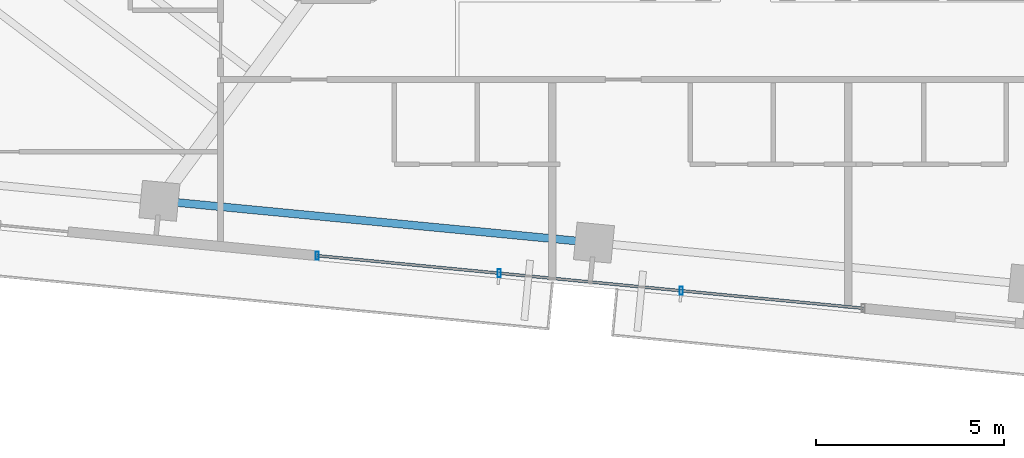
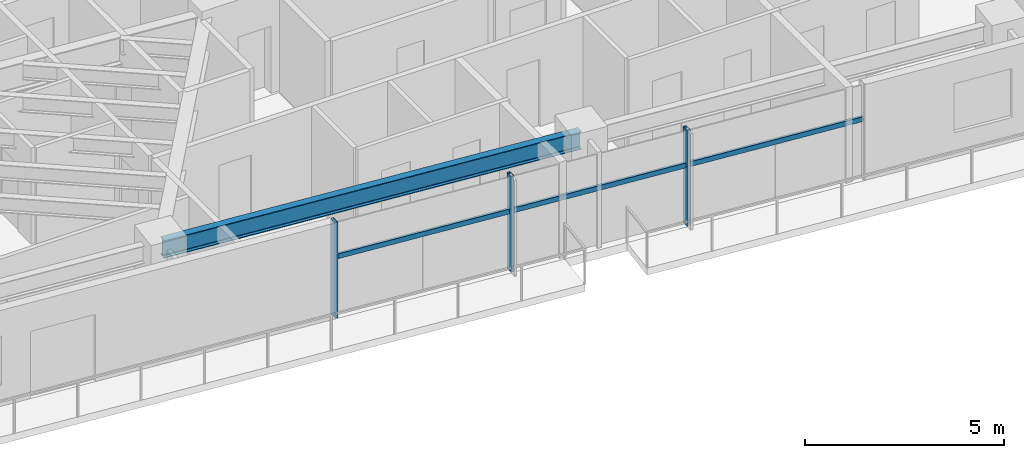
# One storey, part 4 of 19: 6 members, 1 beam, 1 element without a shape of its own.
"""IFC4 building model written with IfcOpenShell, lengths in metres."""

from ifc_helpers import new_model, si_unit, direction, frame, origin, origin_2d, place, context, subcontext, project, spatial, hollow_rectangle, i_section, extrude, source, transform, mapped, material, material_profile, profile_set, type_object, type_shapes, element, aggregate, save


model = new_model("IFC4")

# Units and contexts
model_context = context("Model", 3, precision=1e-05, world=origin(), true_north=direction((0.0, 1.0)))
body_context = subcontext(model_context, "Body", "Model", "MODEL_VIEW")
ifc_project = project(units=[si_unit("LENGTHUNIT", "METRE"), si_unit("AREAUNIT", "SQUARE_METRE"), si_unit("VOLUMEUNIT", "CUBIC_METRE"), si_unit("PLANEANGLEUNIT", "RADIAN"), si_unit("MASSUNIT", "GRAM", prefix="KILO")], contexts=[model_context])

# Site, building, storey
site_placement = place(None, origin())
site = spatial("IfcSite", under=ifc_project, at=site_placement, CompositionType="ELEMENT")
building_placement = place(site_placement, origin())
building = spatial("IfcBuilding", under=site, at=building_placement, Name="Astriad Promenade Condominiums", CompositionType="ELEMENT")
storey_placement = place(building_placement, frame((0.0, 0.0, 150.199951171875)))
storey = spatial("IfcBuildingStorey", under=building, at=storey_placement, Name="L43", CompositionType="ELEMENT", Elevation=150.199951171875)

# Beam
ifc_material_1 = material(Name="Steel ASTM A992 Grade 50", Category="steel")
ifc_material_profile_1 = material_profile(ifc_material_1, i_section(OverallWidth=0.210693359375, OverallDepth=0.53955078125, WebThickness=0.01171875, FlangeThickness=0.018798828125, FilletRadius=0.0166015625, at=origin_2d()), Name="W21X73")
ifc_profile_set_1 = profile_set([ifc_material_profile_1], Name="Steel ASTM A992 Grade 50")
beam_type = type_object("IfcBeamType", Name="STEEL SPANDREL BEAM W21X73", PredefinedType="SPANDREL", material=ifc_profile_set_1)
shared_shape_1 = source(origin(), body_context, "Body", "SweptSolid", [
    extrude(i_section(OverallWidth=0.210693359375, OverallDepth=0.53955078125, WebThickness=0.01171875, FlangeThickness=0.018798828125, FilletRadius=0.0166015625, at=origin_2d()), origin(), (0.0, 0.0, 1.0), 11.52001953125),
])
type_shapes(beam_type, [shared_shape_1])
beam_placement = place(storey_placement, frame((20.467041015625, 9.32763671875, 2.670166015625), z_axis=(0.9953953902, -0.095854145285, 0.0), x_axis=(0.095854145285, 0.9953953902, 0.0)))
element("IfcBeam", 1, at=beam_placement, inside=storey, type_object=beam_type, Name="Perimeter Spandrel Beam SP-S2-L43", PredefinedType="SPANDREL", context=body_context, shape_type="MappedRepresentation", body=[
    mapped(shared_shape_1, transform((0.0, 0.0, 0.0), scale=1.0)),
])

# Curtain wall, members
ifc_material_2 = material(Name="Anodised aluminium Black Dark Glass Unitised", Category="aluminium")
curtain_wall_type = type_object("IfcCurtainWallType", Name="CW-B34-DARK", PredefinedType="USERDEFINED", material=ifc_material_2)
curtain_wall_placement = place(storey_placement, origin())
curtain_wall = element("IfcCurtainWall", 2, at=curtain_wall_placement, inside=storey, type_object=curtain_wall_type, Name="CW-L43-S", ObjectType="UNITISED_CURTAIN_WALL", PredefinedType="USERDEFINED")
ifc_material_3 = material(Name="Anodised aluminium 6063-T6 Black", Category="aluminium")
ifc_material_profile_2 = material_profile(ifc_material_3, hollow_rectangle(XDim=0.0849609375, YDim=0.219970703125, WallThickness=0.0048828125, at=origin_2d()), Name="ALU-MUL-85X220")
ifc_profile_set_2 = profile_set([ifc_material_profile_2], Name="Anodised aluminium 6063-T6 Black")
member_type_1 = type_object("IfcMemberType", Name="MUL-ALU-MUL-85X220", PredefinedType="MULLION", material=ifc_profile_set_2)
shared_shape_2 = source(origin(), body_context, "Body", "SweptSolid", [
    extrude(hollow_rectangle(XDim=0.0849609375, YDim=0.219970703125, WallThickness=0.0048828125, at=origin_2d()), origin(), (0.0, 0.0, 1.0), 2.93994140625),
])
type_shapes(member_type_1, [shared_shape_2])
member_1_placement = place(storey_placement, frame((34.2919921875, 6.941650390625, 0.0), z_axis=(0.0, 0.0, 1.0), x_axis=(1.0, 0.0, 0.0)))
member_1 = element("IfcMember", 3, at=member_1_placement, type_object=member_type_1, Name="CW-L43-S-MUL-01", PredefinedType="MULLION", context=body_context, shape_type="MappedRepresentation", body=[
    mapped(shared_shape_2, transform((0.0, 0.0, 0.0), scale=1.0)),
])
member_2_placement = place(storey_placement, frame((29.454345703125, 7.407470703125, 0.0), z_axis=(0.0, 0.0, 1.0), x_axis=(1.0, 0.0, 0.0)))
member_2 = element("IfcMember", 4, at=member_2_placement, type_object=member_type_1, Name="CW-L43-S-MUL-02", PredefinedType="MULLION", context=body_context, shape_type="MappedRepresentation", body=[
    mapped(shared_shape_2, transform((0.0, 0.0, 0.0), scale=1.0)),
])
member_3_placement = place(storey_placement, frame((24.61669921875, 7.873291015625, 0.0), z_axis=(0.0, 0.0, 1.0), x_axis=(1.0, 0.0, 0.0)))
member_3 = element("IfcMember", 5, at=member_3_placement, type_object=member_type_1, Name="CW-L43-S-MUL-03", PredefinedType="MULLION", context=body_context, shape_type="MappedRepresentation", body=[
    mapped(shared_shape_2, transform((0.0, 0.0, 0.0), scale=1.0)),
])
ifc_material_profile_3 = material_profile(ifc_material_3, hollow_rectangle(XDim=0.074951171875, YDim=0.14990234375, WallThickness=0.004150390625, at=origin_2d()), Name="ALU-TRN-75X150")
ifc_profile_set_3 = profile_set([ifc_material_profile_3], Name="Anodised aluminium 6063-T6 Black")
member_type_2 = type_object("IfcMemberType", Name="TRN-ALU-TRN-75X150", PredefinedType="USERDEFINED", material=ifc_profile_set_3)
shared_shape_3 = source(origin(), body_context, "Body", "SweptSolid", [
    extrude(hollow_rectangle(XDim=0.074951171875, YDim=0.14990234375, WallThickness=0.004150390625, at=origin_2d()), origin(), (0.0, 0.0, 1.0), 4.860107421875),
])
type_shapes(member_type_2, [shared_shape_3])
member_4_placement = place(storey_placement, frame((39.129638671875, 6.475830078125, 1.82275390625), z_axis=(-0.995396042559, 0.095847370639, 0.0), x_axis=(-0.095847370639, -0.995396042559, 0.0)))
member_4 = element("IfcMember", 6, at=member_4_placement, type_object=member_type_2, Name="CW-L43-S-TRN-00-0", ObjectType="TRANSOM", PredefinedType="USERDEFINED", context=body_context, shape_type="MappedRepresentation", body=[
    mapped(shared_shape_3, transform((0.0, 0.0, 0.0), scale=1.0)),
])
member_5_placement = place(storey_placement, frame((34.2919921875, 6.941650390625, 1.82275390625), z_axis=(-0.995396042559, 0.095847370639, 0.0), x_axis=(-0.095847370639, -0.995396042559, 0.0)))
member_5 = element("IfcMember", 7, at=member_5_placement, type_object=member_type_2, Name="CW-L43-S-TRN-01-0", ObjectType="TRANSOM", PredefinedType="USERDEFINED", context=body_context, shape_type="MappedRepresentation", body=[
    mapped(shared_shape_3, transform((0.0, 0.0, 0.0), scale=1.0)),
])
member_6_placement = place(storey_placement, frame((29.454345703125, 7.407470703125, 1.82275390625), z_axis=(-0.995396042559, 0.095847370639, 0.0), x_axis=(-0.095847370639, -0.995396042559, 0.0)))
member_6 = element("IfcMember", 8, at=member_6_placement, type_object=member_type_2, Name="CW-L43-S-TRN-02-0", ObjectType="TRANSOM", PredefinedType="USERDEFINED", context=body_context, shape_type="MappedRepresentation", body=[
    mapped(shared_shape_3, transform((0.0, 0.0, 0.0), scale=1.0)),
])
aggregate(curtain_wall, [member_1, member_2, member_3, member_4, member_5, member_6])

save(model, "model.ifc")
